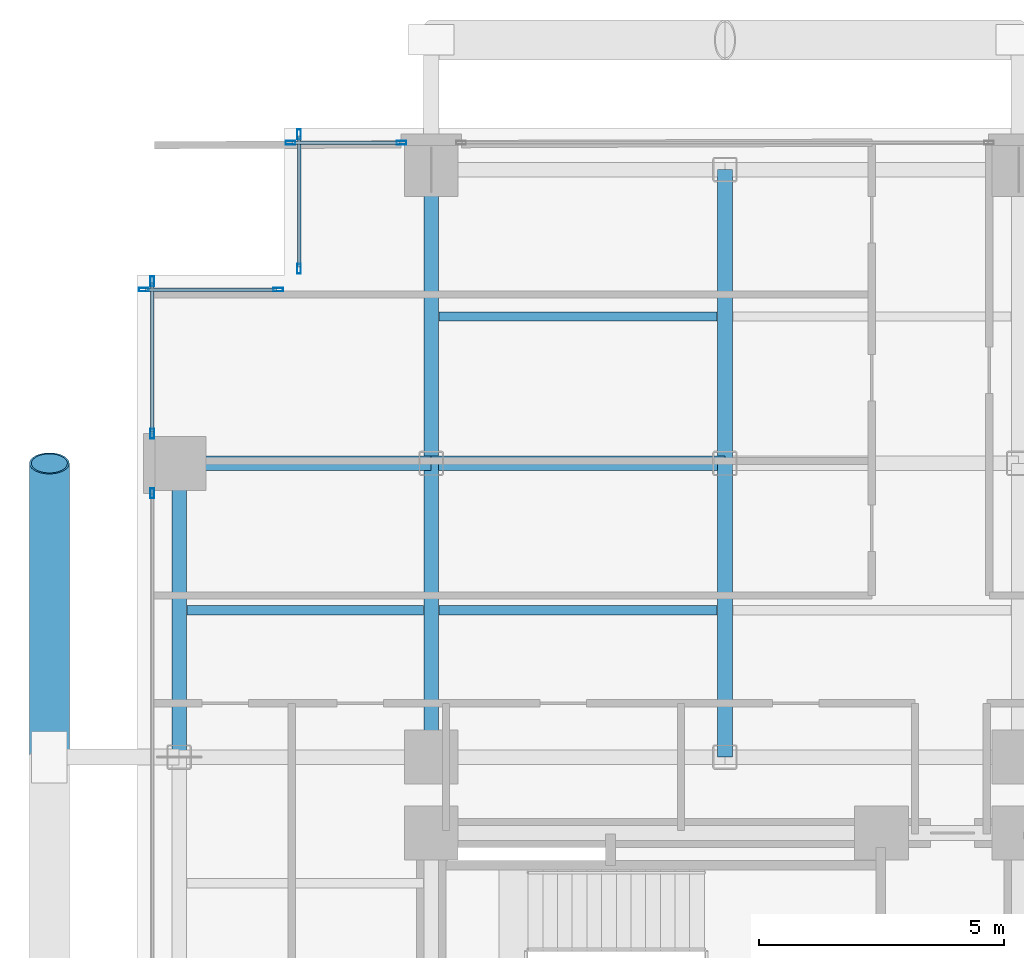
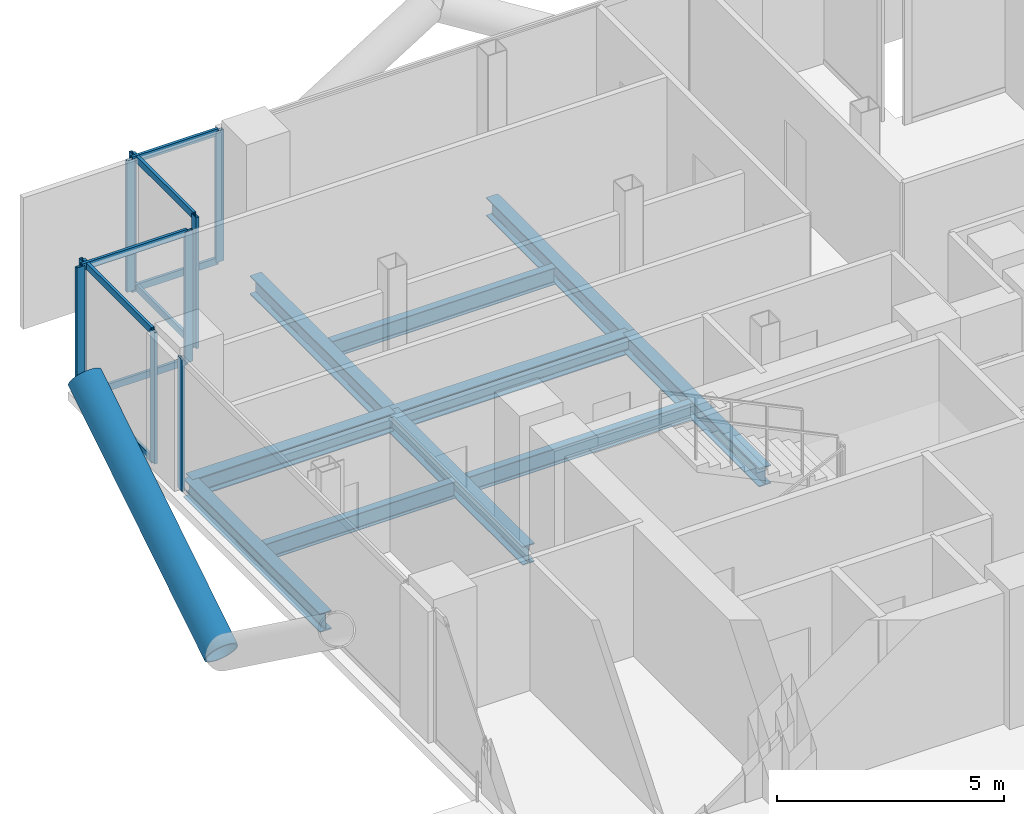
# One storey, part 14 of 24: 18 members, 10 beams, 5 elements without a shape of their own.
"""IFC4 building model written with IfcOpenShell, lengths in metres."""

from ifc_helpers import new_model, si_unit, direction, frame, origin, origin_2d, place, context, subcontext, project, spatial, hollow_rectangle, hollow_circle, i_section, extrude, material, layer, layer_set, material_profile, profile_set, type_object, element, aggregate, save


model = new_model("IFC4")

# Units and contexts
model_context = context("Model", 3, precision=1e-05, world=origin(), true_north=direction((0.0, 1.0)))
body_context = subcontext(model_context, "Body", "Model", "MODEL_VIEW")
ifc_project = project(units=[si_unit("LENGTHUNIT", "METRE"), si_unit("AREAUNIT", "SQUARE_METRE"), si_unit("VOLUMEUNIT", "CUBIC_METRE"), si_unit("PLANEANGLEUNIT", "RADIAN"), si_unit("MASSUNIT", "GRAM", prefix="KILO"), si_unit("THERMODYNAMICTEMPERATUREUNIT", "KELVIN"), si_unit("POWERUNIT", "WATT")], contexts=[model_context])

# Site, building, storey
site_placement = place(None, origin())
site = spatial("IfcSite", under=ifc_project, at=site_placement, CompositionType="ELEMENT")
building_placement = place(site_placement, origin())
building = spatial("IfcBuilding", under=site, at=building_placement, Name="Svarakhadi Broadcast Tower", CompositionType="ELEMENT")
storey_placement = place(building_placement, frame((0.0, 0.0, 156.89990234375)))
storey = spatial("IfcBuildingStorey", under=building, at=storey_placement, Name="L38", CompositionType="ELEMENT", Elevation=156.89990234375)

# Beams
ifc_material_1 = material(Name="Steel S355J2 (IS 2062 E350C)", Category="steel")
ifc_material_profile_1 = material_profile(ifc_material_1, i_section(OverallWidth=0.18994140625, OverallDepth=0.449951171875, WebThickness=0.009521484375, FlangeThickness=0.0146484375, FilletRadius=0.02099609375, at=origin_2d()), Name="NPB 450x190x78")
ifc_profile_set_1 = profile_set([ifc_material_profile_1], Name="Steel S355J2 (IS 2062 E350C)")
beam_type_1 = type_object("IfcBeamType", Name="Beam_NPB450", PredefinedType="BEAM", material=ifc_profile_set_1)
beam_1_placement = place(storey_placement, frame((1.010009765625, 32.14990234375, -0.449951171875), z_axis=(1.0, 0.0, 0.0), x_axis=(0.0, 1.0, 0.0)))
element("IfcBeam", 1, at=beam_1_placement, inside=storey, type_object=beam_type_1, Name="L38 Secondary Composite Beam SB005", PredefinedType="BEAM", context=body_context, shape_type="SweptSolid", body=[
    extrude(i_section(OverallWidth=0.18994140625, OverallDepth=0.449951171875, WebThickness=0.009521484375, FlangeThickness=0.0146484375, FilletRadius=0.02099609375, at=origin_2d()), origin(), (0.0, 0.0, 1.0), 4.830078125),
])
for number, where, z_axis, x_axis, name in (
    (2, (6.159912109375, 32.14990234375, -0.449951171875), (1.0, 0.0, 0.0), (0.0, 1.0, 0.0), "L38 Secondary Composite Beam SB009"),
    (3, (6.159912109375, 38.14990234375, -0.449951171875), (1.0, 0.0, 0.0), (0.0, 1.0, 0.0), "L38 Secondary Composite Beam SB010"),
):
    element("IfcBeam", number, at=place(storey_placement, frame(where, z_axis=z_axis, x_axis=x_axis)), inside=storey, type_object=beam_type_1, Name=name, PredefinedType="BEAM", context=body_context, shape_type="SweptSolid", body=[
        extrude(i_section(OverallWidth=0.18994140625, OverallDepth=0.449951171875, WebThickness=0.009521484375, FlangeThickness=0.0146484375, FilletRadius=0.02099609375, at=origin_2d()), origin(), (0.0, 0.0, 1.0), 5.68017578125),
    ])

# Curtain wall, member
ifc_material_2 = material(Name="Anodised Bronze Aluminium AA 6063-T6", Category="aluminium")
ifc_layer = layer(ifc_material_2, 0.199951171875)
ifc_layer_set = layer_set([ifc_layer], Name="Anodised Bronze Aluminium AA 6063-T6")
curtain_wall_type = type_object("IfcCurtainWallType", Name="CW_Sys_03", PredefinedType="NOTDEFINED", material=ifc_layer_set)
curtain_wall_1_placement = place(storey_placement, origin())
curtain_wall_1 = element("IfcCurtainWall", 4, at=curtain_wall_1_placement, inside=storey, type_object=curtain_wall_type, Name="L38 West Curtain Wall 03 Bay 2", PredefinedType="NOTDEFINED")
ifc_material_profile_2 = material_profile(ifc_material_2, hollow_rectangle(XDim=0.074951171875, YDim=0.199951171875, WallThickness=0.005615234375, at=origin_2d()), Name="ALU MULLION 200x75x6")
ifc_profile_set_2 = profile_set([ifc_material_profile_2], Name="Anodised Bronze Aluminium AA 6063-T6")
member_type_1 = type_object("IfcMemberType", Name="CW_Sys_03_Mul", PredefinedType="MULLION", material=ifc_profile_set_2)
member_1_placement = place(storey_placement, frame((0.300048828125, 34.54248046875, 0.0), z_axis=(0.0, 0.0, 1.0), x_axis=(-1.0, 0.0, 0.0)))
member_1 = element("IfcMember", 5, at=member_1_placement, type_object=member_type_1, Name="CW-03 mullion 2", PredefinedType="MULLION", context=body_context, shape_type="SweptSolid", body=[
    extrude(hollow_rectangle(XDim=0.074951171875, YDim=0.199951171875, WallThickness=0.005615234375, at=origin_2d()), origin(), (0.0, 0.0, 1.0), 3.525146484375),
])
aggregate(curtain_wall_1, [member_1])

# Curtain wall, members
curtain_wall_2_placement = place(storey_placement, origin())
curtain_wall_2 = element("IfcCurtainWall", 6, at=curtain_wall_2_placement, inside=storey, type_object=curtain_wall_type, Name="L38 West Curtain Wall 03 Bay 3", PredefinedType="NOTDEFINED")
member_2_placement = place(storey_placement, frame((0.300048828125, 35.757568359375, 0.0), z_axis=(0.0, 0.0, 1.0), x_axis=(-1.0, 0.0, 0.0)))
member_2 = element("IfcMember", 7, at=member_2_placement, type_object=member_type_1, Name="CW-03 mullion 1", PredefinedType="MULLION", context=body_context, shape_type="SweptSolid", body=[
    extrude(hollow_rectangle(XDim=0.074951171875, YDim=0.199951171875, WallThickness=0.005615234375, at=origin_2d()), origin(), (0.0, 0.0, 1.0), 3.525146484375),
])
member_3_placement = place(storey_placement, frame((0.300048828125, 38.87255859375, 0.0), z_axis=(0.0, 0.0, 1.0), x_axis=(-1.0, 0.0, 0.0)))
member_3 = element("IfcMember", 8, at=member_3_placement, type_object=member_type_1, Name="CW-03 mullion 2", PredefinedType="MULLION", context=body_context, shape_type="SweptSolid", body=[
    extrude(hollow_rectangle(XDim=0.074951171875, YDim=0.199951171875, WallThickness=0.005615234375, at=origin_2d()), origin(), (0.0, 0.0, 1.0), 3.525146484375),
])

curtain_wall_3_placement = place(storey_placement, origin())
curtain_wall_3 = element("IfcCurtainWall", 9, at=curtain_wall_3_placement, inside=storey, type_object=curtain_wall_type, Name="L38 Unitised Facade Curtain Wall 04", PredefinedType="NOTDEFINED")
member_4_placement = place(storey_placement, frame((0.12744140625, 38.699951171875, 0.0), z_axis=(0.0, 0.0, 1.0), x_axis=(0.0, 1.0, 0.0)))
member_4 = element("IfcMember", 10, at=member_4_placement, type_object=member_type_1, Name="CW-03 mullion 1", PredefinedType="MULLION", context=body_context, shape_type="SweptSolid", body=[
    extrude(hollow_rectangle(XDim=0.074951171875, YDim=0.199951171875, WallThickness=0.005615234375, at=origin_2d()), origin(), (0.0, 0.0, 1.0), 3.525146484375),
])
member_5_placement = place(storey_placement, frame((2.87255859375, 38.699951171875, 0.0), z_axis=(0.0, 0.0, 1.0), x_axis=(0.0, 1.0, 0.0)))
member_5 = element("IfcMember", 11, at=member_5_placement, type_object=member_type_1, Name="CW-03 mullion 2", PredefinedType="MULLION", context=body_context, shape_type="SweptSolid", body=[
    extrude(hollow_rectangle(XDim=0.074951171875, YDim=0.199951171875, WallThickness=0.005615234375, at=origin_2d()), origin(), (0.0, 0.0, 1.0), 3.525146484375),
])

curtain_wall_4_placement = place(storey_placement, origin())
curtain_wall_4 = element("IfcCurtainWall", 12, at=curtain_wall_4_placement, inside=storey, type_object=curtain_wall_type, Name="L38 Unitised Facade Curtain Wall 05", PredefinedType="NOTDEFINED")
member_6_placement = place(storey_placement, frame((3.300048828125, 39.12744140625, 0.0), z_axis=(0.0, 0.0, 1.0), x_axis=(-1.0, 0.0, 0.0)))
member_6 = element("IfcMember", 13, at=member_6_placement, type_object=member_type_1, Name="CW-03 mullion 1", PredefinedType="MULLION", context=body_context, shape_type="SweptSolid", body=[
    extrude(hollow_rectangle(XDim=0.074951171875, YDim=0.199951171875, WallThickness=0.005615234375, at=origin_2d()), origin(), (0.0, 0.0, 1.0), 3.525146484375),
])
member_7_placement = place(storey_placement, frame((3.300048828125, 41.87255859375, 0.0), z_axis=(0.0, 0.0, 1.0), x_axis=(-1.0, 0.0, 0.0)))
member_7 = element("IfcMember", 14, at=member_7_placement, type_object=member_type_1, Name="CW-03 mullion 2", PredefinedType="MULLION", context=body_context, shape_type="SweptSolid", body=[
    extrude(hollow_rectangle(XDim=0.074951171875, YDim=0.199951171875, WallThickness=0.005615234375, at=origin_2d()), origin(), (0.0, 0.0, 1.0), 3.525146484375),
])

curtain_wall_5_placement = place(storey_placement, origin())
curtain_wall_5 = element("IfcCurtainWall", 15, at=curtain_wall_5_placement, inside=storey, type_object=curtain_wall_type, Name="L38 Unitised Facade Curtain Wall 06 Bay 1", PredefinedType="NOTDEFINED")
member_8_placement = place(storey_placement, frame((3.12744140625, 41.699951171875, 0.0), z_axis=(0.0, 0.0, 1.0), x_axis=(0.0, 1.0, 0.0)))
member_8 = element("IfcMember", 16, at=member_8_placement, type_object=member_type_1, Name="CW-03 mullion 1", PredefinedType="MULLION", context=body_context, shape_type="SweptSolid", body=[
    extrude(hollow_rectangle(XDim=0.074951171875, YDim=0.199951171875, WallThickness=0.005615234375, at=origin_2d()), origin(), (0.0, 0.0, 1.0), 3.525146484375),
])
member_9_placement = place(storey_placement, frame((5.392578125, 41.699951171875, 0.0), z_axis=(0.0, 0.0, 1.0), x_axis=(0.0, 1.0, 0.0)))
member_9 = element("IfcMember", 17, at=member_9_placement, type_object=member_type_1, Name="CW-03 mullion 2", PredefinedType="MULLION", context=body_context, shape_type="SweptSolid", body=[
    extrude(hollow_rectangle(XDim=0.074951171875, YDim=0.199951171875, WallThickness=0.005615234375, at=origin_2d()), origin(), (0.0, 0.0, 1.0), 3.525146484375),
])

# Member
ifc_material_profile_3 = material_profile(ifc_material_2, hollow_rectangle(XDim=0.070068359375, YDim=0.18505859375, WallThickness=0.0048828125, at=origin_2d()), Name="ALU TRANSOM 185x70x5")
ifc_profile_set_3 = profile_set([ifc_material_profile_3], Name="Anodised Bronze Aluminium AA 6063-T6")
member_type_2 = type_object("IfcMemberType", Name="CW_Sys_03_Trn", PredefinedType="USERDEFINED", material=ifc_profile_set_3)
member_10_placement = place(storey_placement, frame((0.300048828125, 35.794921875, 0.03515625), z_axis=(0.0, 1.0, 0.0), x_axis=(-1.0, 0.0, 0.0)))
member_10 = element("IfcMember", 18, at=member_10_placement, type_object=member_type_2, Name="CW-03 transom 1.1", ObjectType="TRANSOM", PredefinedType="USERDEFINED", context=body_context, shape_type="SweptSolid", body=[
    extrude(hollow_rectangle(XDim=0.070068359375, YDim=0.18505859375, WallThickness=0.0048828125, at=origin_2d()), origin(), (0.0, 0.0, 1.0), 3.0400390625),
])

member_11_placement = place(storey_placement, frame((0.300048828125, 35.794921875, 3.489990234375), z_axis=(0.0, 1.0, 0.0), x_axis=(-1.0, 0.0, 0.0)))
member_11 = element("IfcMember", 19, at=member_11_placement, type_object=member_type_2, Name="CW-03 transom 1.2", ObjectType="TRANSOM", PredefinedType="USERDEFINED", context=body_context, shape_type="SweptSolid", body=[
    extrude(hollow_rectangle(XDim=0.070068359375, YDim=0.18505859375, WallThickness=0.0048828125, at=origin_2d()), origin(), (0.0, 0.0, 1.0), 3.0400390625),
])

aggregate(curtain_wall_2, [member_2, member_3, member_10, member_11])

member_12_placement = place(storey_placement, frame((0.1650390625, 38.699951171875, 0.03515625), z_axis=(1.0, 0.0, 0.0), x_axis=(0.0, 1.0, 0.0)))
member_12 = element("IfcMember", 20, at=member_12_placement, type_object=member_type_2, Name="CW-03 transom 1.1", ObjectType="TRANSOM", PredefinedType="USERDEFINED", context=body_context, shape_type="SweptSolid", body=[
    extrude(hollow_rectangle(XDim=0.070068359375, YDim=0.18505859375, WallThickness=0.0048828125, at=origin_2d()), origin(), (0.0, 0.0, 1.0), 2.669921875),
])

member_13_placement = place(storey_placement, frame((0.1650390625, 38.699951171875, 3.489990234375), z_axis=(1.0, 0.0, 0.0), x_axis=(0.0, 1.0, 0.0)))
member_13 = element("IfcMember", 21, at=member_13_placement, type_object=member_type_2, Name="CW-03 transom 1.2", ObjectType="TRANSOM", PredefinedType="USERDEFINED", context=body_context, shape_type="SweptSolid", body=[
    extrude(hollow_rectangle(XDim=0.070068359375, YDim=0.18505859375, WallThickness=0.0048828125, at=origin_2d()), origin(), (0.0, 0.0, 1.0), 2.669921875),
])

aggregate(curtain_wall_3, [member_4, member_5, member_12, member_13])

member_14_placement = place(storey_placement, frame((3.300048828125, 39.1650390625, 0.03515625), z_axis=(0.0, 1.0, 0.0), x_axis=(-1.0, 0.0, 0.0)))
member_14 = element("IfcMember", 22, at=member_14_placement, type_object=member_type_2, Name="CW-03 transom 1.1", ObjectType="TRANSOM", PredefinedType="USERDEFINED", context=body_context, shape_type="SweptSolid", body=[
    extrude(hollow_rectangle(XDim=0.070068359375, YDim=0.18505859375, WallThickness=0.0048828125, at=origin_2d()), origin(), (0.0, 0.0, 1.0), 2.669921875),
])

member_15_placement = place(storey_placement, frame((3.300048828125, 39.1650390625, 3.489990234375), z_axis=(0.0, 1.0, 0.0), x_axis=(-1.0, 0.0, 0.0)))
member_15 = element("IfcMember", 23, at=member_15_placement, type_object=member_type_2, Name="CW-03 transom 1.2", ObjectType="TRANSOM", PredefinedType="USERDEFINED", context=body_context, shape_type="SweptSolid", body=[
    extrude(hollow_rectangle(XDim=0.070068359375, YDim=0.18505859375, WallThickness=0.0048828125, at=origin_2d()), origin(), (0.0, 0.0, 1.0), 2.669921875),
])

aggregate(curtain_wall_4, [member_6, member_7, member_14, member_15])

member_16_placement = place(storey_placement, frame((3.1650390625, 41.699951171875, 0.03515625), z_axis=(1.0, 0.0, 0.0), x_axis=(0.0, 1.0, 0.0)))
member_16 = element("IfcMember", 24, at=member_16_placement, type_object=member_type_2, Name="CW-03 transom 1.1", ObjectType="TRANSOM", PredefinedType="USERDEFINED", context=body_context, shape_type="SweptSolid", body=[
    extrude(hollow_rectangle(XDim=0.070068359375, YDim=0.18505859375, WallThickness=0.0048828125, at=origin_2d()), origin(), (0.0, 0.0, 1.0), 2.18994140625),
])

member_17_placement = place(storey_placement, frame((3.1650390625, 41.699951171875, 3.489990234375), z_axis=(1.0, 0.0, 0.0), x_axis=(0.0, 1.0, 0.0)))
member_17 = element("IfcMember", 25, at=member_17_placement, type_object=member_type_2, Name="CW-03 transom 1.2", ObjectType="TRANSOM", PredefinedType="USERDEFINED", context=body_context, shape_type="SweptSolid", body=[
    extrude(hollow_rectangle(XDim=0.070068359375, YDim=0.18505859375, WallThickness=0.0048828125, at=origin_2d()), origin(), (0.0, 0.0, 1.0), 2.18994140625),
])

aggregate(curtain_wall_5, [member_8, member_9, member_16, member_17])

ifc_material_3 = material(Name="Steel S460ML (IS 2062 E450BR)", Category="steel")
ifc_material_profile_4 = material_profile(ifc_material_3, hollow_circle(Radius=0.406494140625, WallThickness=0.0400390625, at=origin_2d()), Name="CHS 813x40")
ifc_profile_set_4 = profile_set([ifc_material_profile_4], Name="Steel S460ML (IS 2062 E450BR)")
member_type_3 = type_object("IfcMemberType", Name="Exo_Brace_CHS813", PredefinedType="BRACE", material=ifc_profile_set_4)
member_18_placement = place(storey_placement, frame((-1.800048828125, 29.14990234375, -0.386962890625), z_axis=(0.0, 0.847998304005, 0.529998940003), x_axis=(-1.0, 0.0, 0.0)))
element("IfcMember", 26, at=member_18_placement, inside=storey, type_object=member_type_3, Name="L38 Exposed Bronze Exoskeleton Diagonal W05", PredefinedType="BRACE", context=body_context, shape_type="SweptSolid", body=[
    extrude(hollow_circle(Radius=0.406494140625, WallThickness=0.0400390625, at=origin_2d()), origin(), (0.0, 0.0, 1.0), 7.075439453125),
])

# Beams
ifc_material_profile_5 = material_profile(ifc_material_1, i_section(OverallWidth=0.300048828125, OverallDepth=0.5, WebThickness=0.014404296875, FlangeThickness=0.028076171875, FilletRadius=0.027099609375, at=origin_2d()), Name="WPB 500x300x187")
ifc_profile_set_5 = profile_set([ifc_material_profile_5], Name="Steel S355J2 (IS 2062 E350C)")
beam_type_2 = type_object("IfcBeamType", Name="Girder_WPB500", PredefinedType="USERDEFINED", material=ifc_profile_set_5)
beam_2_placement = place(storey_placement, frame((0.85009765625, 35.14990234375, -0.474853515625), z_axis=(1.0, 0.0, 0.0), x_axis=(0.0, 1.0, 0.0)))
element("IfcBeam", 27, at=beam_2_placement, inside=storey, type_object=beam_type_2, Name="L38 Primary E-W Girder G035", ObjectType="GIRDER", PredefinedType="USERDEFINED", context=body_context, shape_type="SweptSolid", body=[
    extrude(i_section(OverallWidth=0.300048828125, OverallDepth=0.5, WebThickness=0.014404296875, FlangeThickness=0.028076171875, FilletRadius=0.027099609375, at=origin_2d()), origin(), (0.0, 0.0, 1.0), 5.14990234375),
])
for number, where, z_axis, x_axis, name in (
    (28, (6.0, 35.14990234375, -0.474853515625), (1.0, 0.0, 0.0), (0.0, 1.0, 0.0), "L38 Primary E-W Girder G036"),
    (29, (0.85009765625, 29.14990234375, -0.474853515625), (0.0, 1.0, 0.0), (-1.0, 0.0, 0.0), "L38 Primary N-S Girder G044"),
    (30, (6.0, 29.14990234375, -0.474853515625), (0.0, 1.0, 0.0), (-1.0, 0.0, 0.0), "L38 Primary N-S Girder G049"),
    (31, (6.0, 35.14990234375, -0.474853515625), (0.0, 1.0, 0.0), (-1.0, 0.0, 0.0), "L38 Primary N-S Girder G050"),
    (32, (12.0, 29.14990234375, -0.474853515625), (0.0, 1.0, 0.0), (-1.0, 0.0, 0.0), "L38 Primary N-S Girder G054"),
    (33, (12.0, 35.14990234375, -0.474853515625), (0.0, 1.0, 0.0), (-1.0, 0.0, 0.0), "L38 Primary N-S Girder G055"),
):
    element("IfcBeam", number, at=place(storey_placement, frame(where, z_axis=z_axis, x_axis=x_axis)), inside=storey, type_object=beam_type_2, Name=name, ObjectType="GIRDER", PredefinedType="USERDEFINED", context=body_context, shape_type="SweptSolid", body=[
        extrude(i_section(OverallWidth=0.300048828125, OverallDepth=0.5, WebThickness=0.014404296875, FlangeThickness=0.028076171875, FilletRadius=0.027099609375, at=origin_2d()), origin(), (0.0, 0.0, 1.0), 6.0),
    ])

save(model, "model.ifc")
